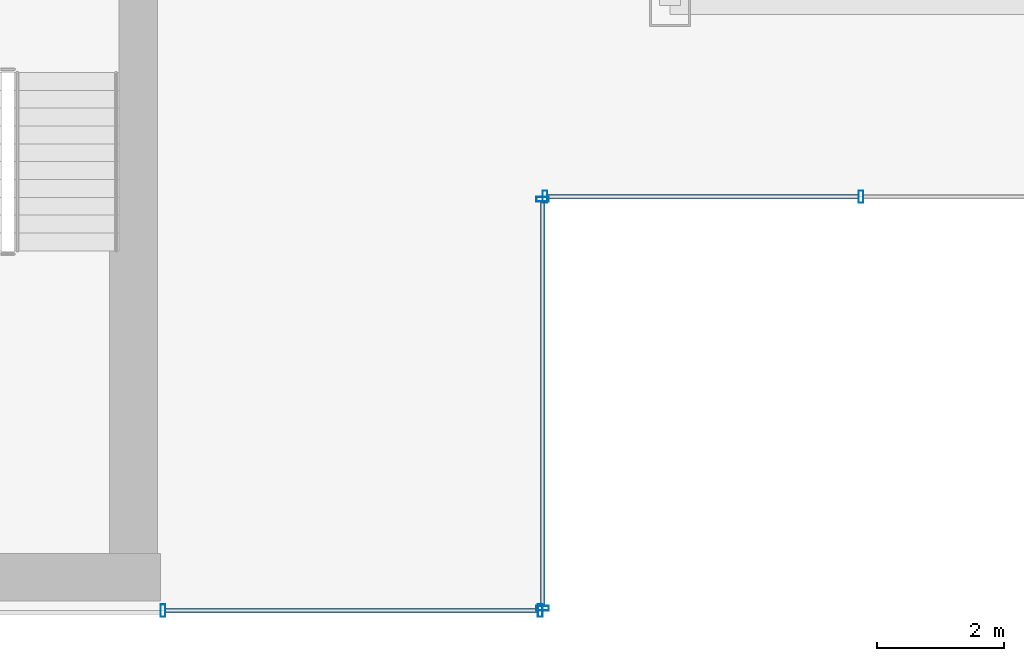
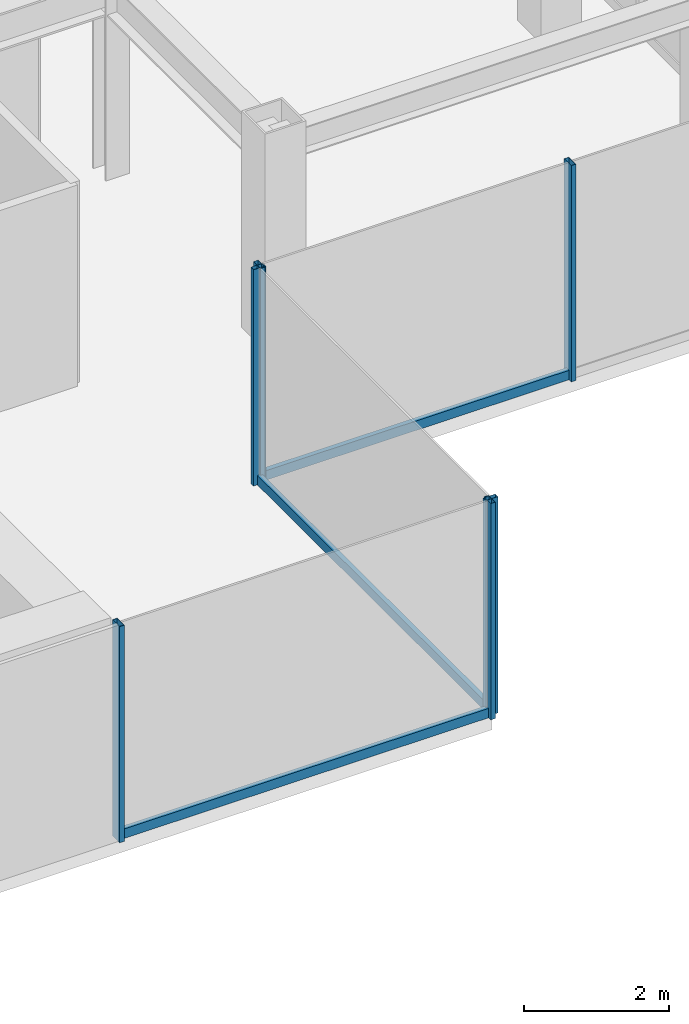
# One storey, part 9 of 25: 9 members, 3 elements without a shape of their own.
"""IFC4 building model written with IfcOpenShell, lengths in metres."""

from ifc_helpers import new_model, si_unit, derived_unit, direction, frame, origin, origin_2d, place, context, subcontext, project, spatial, hollow_rectangle, extrude, source, transform, mapped, material, material_profile, profile_set, type_object, element, aggregate, save


model = new_model("IFC4")

# Units and contexts
model_context = context("Model", 3, precision=1e-05, world=origin(), true_north=direction((0.0, 1.0)))
body_context = subcontext(model_context, "Body", "Model", "MODEL_VIEW")
ifc_project = project(units=[si_unit("LENGTHUNIT", "METRE"), si_unit("AREAUNIT", "SQUARE_METRE"), si_unit("VOLUMEUNIT", "CUBIC_METRE"), si_unit("PLANEANGLEUNIT", "RADIAN"), si_unit("MASSUNIT", "GRAM", prefix="KILO"), derived_unit("THERMALTRANSMITTANCEUNIT", [(si_unit("POWERUNIT", "WATT"), 1), (si_unit("LENGTHUNIT", "METRE"), -2), (si_unit("THERMODYNAMICTEMPERATUREUNIT", "KELVIN"), -1)])], contexts=[model_context])

# Site, building, storey
site_placement = place(None, origin())
site = spatial("IfcSite", under=ifc_project, at=site_placement, CompositionType="ELEMENT")
building_placement = place(site_placement, origin())
building = spatial("IfcBuilding", under=site, at=building_placement, Name="Skarnbrae Concourse Arena and Tower", CompositionType="ELEMENT")
storey_placement = place(building_placement, frame((0.0, 0.0, 147.89990234375)))
storey = spatial("IfcBuildingStorey", under=building, at=storey_placement, Name="L37", CompositionType="ELEMENT", Elevation=147.89990234375)

# Curtain wall, members
ifc_material = material(Name="Bronze anodised aluminium 6063-T6", Category="aluminium")
curtain_wall_type = type_object("IfcCurtainWallType", Name="CW-SYS-04-MIDZONE", PredefinedType="USERDEFINED", material=ifc_material)
curtain_wall_1_placement = place(storey_placement, origin())
curtain_wall_1 = element("IfcCurtainWall", 1, at=curtain_wall_1_placement, inside=storey, type_object=curtain_wall_type, Name="L37 Unitised curtain wall CW-L37-SE-SPINE", ObjectType="UNITISED CURTAIN WALL", PredefinedType="USERDEFINED")
ifc_material_profile_1 = material_profile(ifc_material, hollow_rectangle(XDim=0.074951171875, YDim=0.195068359375, WallThickness=0.00439453125, at=origin_2d()), Name="ALU-MULL-75X195")
ifc_profile_set_1 = profile_set([ifc_material_profile_1], Name="Bronze anodised aluminium 6063-T6")
member_type_1 = type_object("IfcMemberType", Name="CWM-CW-04", PredefinedType="MULLION", material=ifc_profile_set_1)
shared_shape_1 = source(origin(), body_context, "Body", "SweptSolid", [
    extrude(hollow_rectangle(XDim=0.074951171875, YDim=0.195068359375, WallThickness=0.00439453125, at=origin_2d()), origin(), (0.0, 0.0, 1.0), 3.650146484375),
])
member_1_placement = place(storey_placement, frame((34.03759765625, 0.0, 0.0), z_axis=(0.0, 0.0, 1.0), x_axis=(1.0, 0.0, 0.0)))
member_1 = element("IfcMember", 2, at=member_1_placement, type_object=member_type_1, Name="CW-L37-SE-SPINE Mullion 1", PredefinedType="MULLION", context=body_context, shape_type="MappedRepresentation", body=[
    mapped(shared_shape_1, transform((0.0, 0.0, 0.0))),
])
member_2_placement = place(storey_placement, frame((39.96240234375, 0.0, 0.0), z_axis=(0.0, 0.0, 1.0), x_axis=(1.0, 0.0, 0.0)))
member_2 = element("IfcMember", 3, at=member_2_placement, type_object=member_type_1, Name="CW-L37-SE-SPINE Mullion 2", PredefinedType="MULLION", context=body_context, shape_type="MappedRepresentation", body=[
    mapped(shared_shape_1, transform((0.0, 0.0, 0.0))),
])

curtain_wall_2_placement = place(storey_placement, origin())
curtain_wall_2 = element("IfcCurtainWall", 4, at=curtain_wall_2_placement, inside=storey, type_object=curtain_wall_type, Name="L37 Unitised curtain wall CW-L37-E02", ObjectType="UNITISED CURTAIN WALL", PredefinedType="USERDEFINED")
member_3_placement = place(storey_placement, frame((40.0, 0.03759765625, 0.0), z_axis=(0.0, 0.0, 1.0), x_axis=(0.0, 1.0, 0.0)))
member_3 = element("IfcMember", 5, at=member_3_placement, type_object=member_type_1, Name="CW-L37-E02 Mullion 1", PredefinedType="MULLION", context=body_context, shape_type="MappedRepresentation", body=[
    mapped(shared_shape_1, transform((0.0, 0.0, 0.0))),
])
member_4_placement = place(storey_placement, frame((40.0, 6.46240234375, 0.0), z_axis=(0.0, 0.0, 1.0), x_axis=(0.0, 1.0, 0.0)))
member_4 = element("IfcMember", 6, at=member_4_placement, type_object=member_type_1, Name="CW-L37-E02 Mullion 2", PredefinedType="MULLION", context=body_context, shape_type="MappedRepresentation", body=[
    mapped(shared_shape_1, transform((0.0, 0.0, 0.0))),
])

curtain_wall_3_placement = place(storey_placement, origin())
curtain_wall_3 = element("IfcCurtainWall", 7, at=curtain_wall_3_placement, inside=storey, type_object=curtain_wall_type, Name="L37 Unitised curtain wall CW-L37-E03", ObjectType="UNITISED CURTAIN WALL", PredefinedType="USERDEFINED")
member_5_placement = place(storey_placement, frame((40.03759765625, 6.5, 0.0), z_axis=(0.0, 0.0, 1.0), x_axis=(1.0, 0.0, 0.0)))
member_5 = element("IfcMember", 8, at=member_5_placement, type_object=member_type_1, Name="CW-L37-E03 Mullion 1", PredefinedType="MULLION", context=body_context, shape_type="MappedRepresentation", body=[
    mapped(shared_shape_1, transform((0.0, 0.0, 0.0))),
])
member_6_placement = place(storey_placement, frame((45.0, 6.5, 0.0), z_axis=(0.0, 0.0, 1.0), x_axis=(1.0, 0.0, 0.0)))
member_6 = element("IfcMember", 9, at=member_6_placement, type_object=member_type_1, Name="CW-L37-E03 Mullion 2", PredefinedType="MULLION", context=body_context, shape_type="MappedRepresentation", body=[
    mapped(shared_shape_1, transform((0.0, 0.0, 0.0))),
])
ifc_material_profile_2 = material_profile(ifc_material, hollow_rectangle(XDim=0.074951171875, YDim=0.159912109375, WallThickness=0.00439453125, at=origin_2d()), Name="ALU-TRAN-75X160")
ifc_profile_set_2 = profile_set([ifc_material_profile_2], Name="Bronze anodised aluminium 6063-T6")
member_type_2 = type_object("IfcMemberType", Name="CWT-CW-04", PredefinedType="USERDEFINED", material=ifc_profile_set_2)
shared_shape_2 = source(origin(), body_context, "Body", "SweptSolid", [
    extrude(hollow_rectangle(XDim=0.074951171875, YDim=0.159912109375, WallThickness=0.00439453125, at=origin_2d()), origin(), (0.0, 0.0, 1.0), 4.887451171875),
])
member_7_placement = place(storey_placement, frame((40.074951171875, 6.5, 0.080078125), z_axis=(1.0, 0.0, 0.0), x_axis=(0.0, 1.0, 0.0)))
member_7 = element("IfcMember", 10, at=member_7_placement, type_object=member_type_2, Name="CW-L37-E03 Transom 1", ObjectType="TRANSOM", PredefinedType="USERDEFINED", context=body_context, shape_type="MappedRepresentation", body=[
    mapped(shared_shape_2, transform((0.0, 0.0, 0.0))),
])
aggregate(curtain_wall_3, [member_5, member_6, member_7])

# Member
shared_shape_3 = source(origin(), body_context, "Body", "SweptSolid", [
    extrude(hollow_rectangle(XDim=0.074951171875, YDim=0.159912109375, WallThickness=0.00439453125, at=origin_2d()), origin(), (0.0, 0.0, 1.0), 5.85009765625),
])
member_8_placement = place(storey_placement, frame((34.074951171875, 0.0, 0.080078125), z_axis=(1.0, 0.0, 0.0), x_axis=(0.0, 1.0, 0.0)))
member_8 = element("IfcMember", 11, at=member_8_placement, type_object=member_type_2, Name="CW-L37-SE-SPINE Transom 1", ObjectType="TRANSOM", PredefinedType="USERDEFINED", context=body_context, shape_type="MappedRepresentation", body=[
    mapped(shared_shape_3, transform((0.0, 0.0, 0.0))),
])

aggregate(curtain_wall_1, [member_1, member_2, member_8])

shared_shape_4 = source(origin(), body_context, "Body", "SweptSolid", [
    extrude(hollow_rectangle(XDim=0.074951171875, YDim=0.159912109375, WallThickness=0.00439453125, at=origin_2d()), origin(), (0.0, 0.0, 1.0), 6.35009765625),
])
member_9_placement = place(storey_placement, frame((40.0, 0.074951171875, 0.080078125), z_axis=(0.0, 1.0, 0.0), x_axis=(-1.0, 0.0, 0.0)))
member_9 = element("IfcMember", 12, at=member_9_placement, type_object=member_type_2, Name="CW-L37-E02 Transom 1", ObjectType="TRANSOM", PredefinedType="USERDEFINED", context=body_context, shape_type="MappedRepresentation", body=[
    mapped(shared_shape_4, transform((0.0, 0.0, 0.0))),
])

aggregate(curtain_wall_2, [member_3, member_4, member_9])

save(model, "model.ifc")
